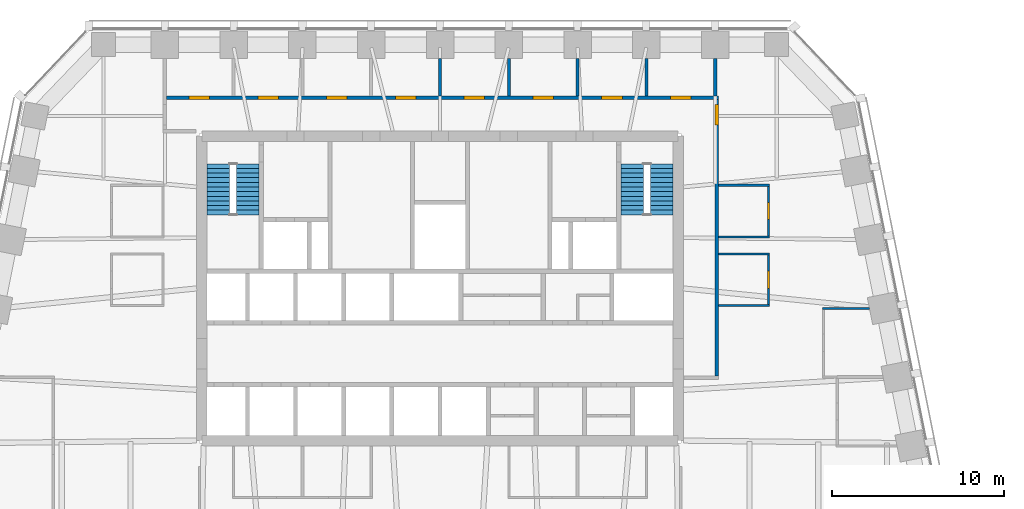
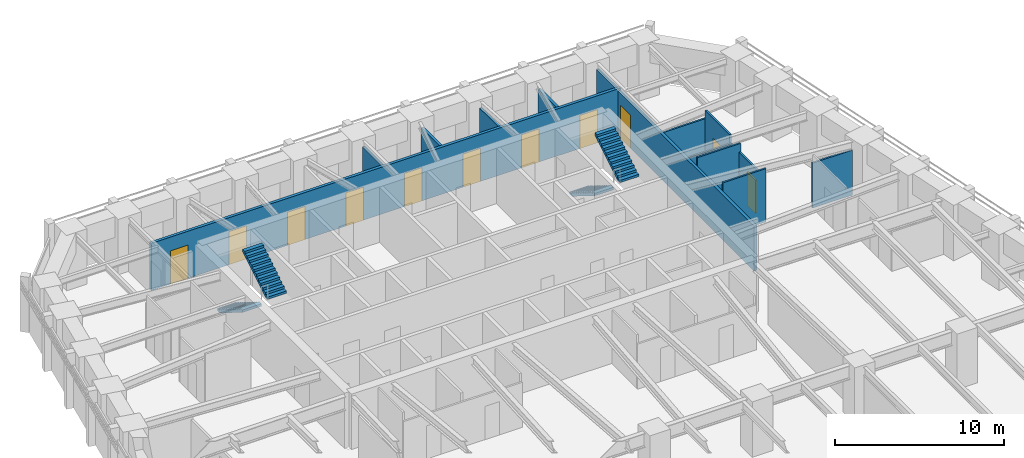
# One storey, part 8 of 10: 14 walls, 11 doors, 4 stair flights, 11 openings, 2 elements without a shape of their own.
"""IFC4 building model written with IfcOpenShell, lengths in metres."""

from ifc_helpers import new_model, si_unit, direction, frame, frame_2d, origin, place, context, subcontext, project, spatial, polyline, rectangle, outline, extrude, material, layer, layer_set, type_object, element, fill, aggregate, save


model = new_model("IFC4")

# Units and contexts
model_context = context("Model", 3, precision=1e-05, world=origin(), true_north=direction((0.0, 1.0)))
body_context = subcontext(model_context, "Body", "Model", "MODEL_VIEW")
ifc_project = project(units=[si_unit("LENGTHUNIT", "METRE"), si_unit("AREAUNIT", "SQUARE_METRE"), si_unit("VOLUMEUNIT", "CUBIC_METRE"), si_unit("PLANEANGLEUNIT", "RADIAN"), si_unit("MASSUNIT", "GRAM", prefix="KILO")], contexts=[model_context])

# Site, building, storey
site_placement = place(None, origin())
site = spatial("IfcSite", under=ifc_project, at=site_placement, CompositionType="ELEMENT")
building_placement = place(site_placement, origin())
building = spatial("IfcBuilding", under=site, at=building_placement, Name="Isbrekke Arena Tower", CompositionType="ELEMENT")
storey_placement = place(building_placement, frame((0.0, 0.0, 222.0)))
storey = spatial("IfcBuildingStorey", under=building, at=storey_placement, Name="L51", CompositionType="ELEMENT", Elevation=222.0)

# Walls
ifc_material_1 = material(Name="Frameless glazed partition, laminated acoustic glass", Category="glass")
ifc_layer_1 = layer(ifc_material_1, 0.1201171875)
ifc_layer_set_1 = layer_set([ifc_layer_1], Name="IW2 GLAZED PARTITION 120")
wall_type_1 = type_object("IfcWallType", Name="IW2 GLAZED PARTITION 120", PredefinedType="PARTITIONING", material=ifc_layer_set_1)
wall_1_placement = place(storey_placement, frame((22.239990234375, 13.840087890625, 0.0), z_axis=(0.0, 0.0, 1.0), x_axis=(1.0, 0.0, 0.0)))
element("IfcWall", 1, at=wall_1_placement, inside=storey, type_object=wall_type_1, Name="IW2 glazed partition 120 L51", PredefinedType="PARTITIONING", context=body_context, shape_type="SweptSolid", body=[
    extrude(rectangle(XDim=2.73486328125, YDim=0.1201171875, at=frame_2d((1.367431640625, 0.0))), origin(), (0.0, 0.0, 1.0), 3.25),
])
for number, where, z_axis, x_axis, name in (
    (2, (16.199951171875, 14.0, 0.0), (0.0, 0.0, 1.0), (1.0, 0.0, 0.0), "IW2 glazed partition 120 L51"),
    (3, (16.199951171875, 17.0, 0.0), (0.0, 0.0, 1.0), (1.0, 0.0, 0.0), "IW2 glazed partition 120 L51"),
):
    element("IfcWall", number, at=place(storey_placement, frame(where, z_axis=z_axis, x_axis=x_axis)), inside=storey, type_object=wall_type_1, Name=name, PredefinedType="PARTITIONING", context=body_context, shape_type="SweptSolid", body=[
        extrude(rectangle(XDim=2.9599609375, YDim=0.1201171875, at=frame_2d((1.47998046875, 0.0))), origin(), (0.0, 0.0, 1.0), 3.85009765625),
    ])
for number, where, z_axis, x_axis, name in (
    (4, (16.199951171875, 18.0, 0.0), (0.0, 0.0, 1.0), (1.0, 0.0, 0.0), "IW2 glazed partition 120 L51"),
    (5, (16.199951171875, 21.0, 0.0), (0.0, 0.0, 1.0), (1.0, 0.0, 0.0), "IW2 glazed partition 120 L51"),
):
    element("IfcWall", number, at=place(storey_placement, frame(where, z_axis=z_axis, x_axis=x_axis)), inside=storey, type_object=wall_type_1, Name=name, PredefinedType="PARTITIONING", context=body_context, shape_type="SweptSolid", body=[
        extrude(rectangle(XDim=2.9599609375, YDim=0.1201171875, at=frame_2d((1.47998046875, 0.0))), origin(), (0.0, 0.0, 1.0), 3.25),
    ])

# Wall, opening, door
wall_2_placement = place(storey_placement, frame((19.10009765625, 14.06005859375, 0.0), z_axis=(0.0, 0.0, 1.0), x_axis=(0.0, 1.0, 0.0)))
wall_2 = element("IfcWall", 6, at=wall_2_placement, inside=storey, type_object=wall_type_1, Name="IW2 glazed partition 120 L51", PredefinedType="PARTITIONING", context=body_context, shape_type="SweptSolid", body=[
    extrude(rectangle(XDim=2.8798828125, YDim=0.1201171875, at=frame_2d((1.43994140625, 0.0))), origin(), (0.0, 0.0, 1.0), 3.25),
])
opening_1_placement = place(wall_2_placement, frame((0.93994140625, 0.0, 0.0)))
opening_1 = element("IfcOpeningElement", 7, at=opening_1_placement, cuts=wall_2, Name="Opening D11", PredefinedType="OPENING", context=body_context, shape_type="SweptSolid", body=[
    extrude(rectangle(XDim=1.0, YDim=2.39990234375, at=frame_2d((0.5, 1.199951171875))), frame((0.0, 0.074951171875, 0.0), z_axis=(0.0, -1.0, 0.0), x_axis=(1.0, 0.0, 0.0)), (0.0, 0.0, 1.0), 0.14990234375),
])
ifc_material_2 = material(Name="Frameless glazed door", Category="glass")
door_type_1 = type_object("IfcDoorType", Name="D11 GLAZED MEETING ROOM DOOR 1000 x 2400", OperationType="SINGLE_SWING_RIGHT", PredefinedType="DOOR", material=ifc_material_2)
door_1_placement = place(opening_1_placement, origin())
door_1 = element("IfcDoor", 8, at=door_1_placement, inside=storey, type_object=door_type_1, Name="D11 quiet room door L51", OperationType="SINGLE_SWING_RIGHT", OverallHeight=2.39990234375, OverallWidth=1.0, PredefinedType="DOOR", context=body_context, shape_type="SweptSolid", body=[
    extrude(rectangle(XDim=1.0, YDim=2.39990234375, at=frame_2d((0.5, 1.199951171875))), frame((0.0, 0.059814453125, 0.0), z_axis=(0.0, -1.0, 0.0), x_axis=(1.0, 0.0, 0.0)), (0.0, 0.0, 1.0), 0.11962890625),
])
fill(opening_1, door_1)

wall_3_placement = place(storey_placement, frame((19.10009765625, 18.06005859375, 0.0), z_axis=(0.0, 0.0, 1.0), x_axis=(0.0, 1.0, 0.0)))
wall_3 = element("IfcWall", 9, at=wall_3_placement, inside=storey, type_object=wall_type_1, Name="IW2 glazed partition 120 L51", PredefinedType="PARTITIONING", context=body_context, shape_type="SweptSolid", body=[
    extrude(rectangle(XDim=2.8798828125, YDim=0.1201171875, at=frame_2d((1.43994140625, 0.0))), origin(), (0.0, 0.0, 1.0), 3.85009765625),
])
opening_2_placement = place(wall_3_placement, frame((0.93994140625, 0.0, 0.0)))
opening_2 = element("IfcOpeningElement", 10, at=opening_2_placement, cuts=wall_3, Name="Opening D11", PredefinedType="OPENING", context=body_context, shape_type="SweptSolid", body=[
    extrude(rectangle(XDim=1.0, YDim=2.39990234375, at=frame_2d((0.5, 1.199951171875))), frame((0.0, 0.074951171875, 0.0), z_axis=(0.0, -1.0, 0.0), x_axis=(1.0, 0.0, 0.0)), (0.0, 0.0, 1.0), 0.14990234375),
])
door_2_placement = place(opening_2_placement, origin())
door_2 = element("IfcDoor", 11, at=door_2_placement, inside=storey, type_object=door_type_1, Name="D11 quiet room door L51", OperationType="SINGLE_SWING_RIGHT", OverallHeight=2.39990234375, OverallWidth=1.0, PredefinedType="DOOR", context=body_context, shape_type="SweptSolid", body=[
    extrude(rectangle(XDim=1.0, YDim=2.39990234375, at=frame_2d((0.5, 1.199951171875))), frame((0.0, 0.059814453125, 0.0), z_axis=(0.0, -1.0, 0.0), x_axis=(1.0, 0.0, 0.0)), (0.0, 0.0, 1.0), 0.11962890625),
])
fill(opening_2, door_2)

# Wall, openings, doors
ifc_material_3 = material(Name="Gypsum board fire-cell wall on steel studs, two layers each side", Category="steel")
ifc_layer_2 = layer(ifc_material_3, 0.199951171875)
ifc_layer_set_2 = layer_set([ifc_layer_2], Name="IW3 FIRE-CELL WALL 200")
wall_type_2 = type_object("IfcWallType", Name="IW3 FIRE-CELL WALL 200", PredefinedType="PARTITIONING", material=ifc_layer_set_2)
wall_4_placement = place(storey_placement, frame((-15.89990234375, 26.10009765625, 0.0), z_axis=(0.0, 0.0, 1.0), x_axis=(1.0, 0.0, 0.0)))
wall_4 = element("IfcWall", 12, at=wall_4_placement, inside=storey, type_object=wall_type_2, Name="IW3 fire-cell wall 200 L51", PredefinedType="PARTITIONING", context=body_context, shape_type="SweptSolid", body=[
    extrude(rectangle(XDim=32.099853515625, YDim=0.199951171875, at=frame_2d((16.0498046875, 0.0))), origin(), (0.0, 0.0, 1.0), 3.39990234375),
])
opening_3_placement = place(wall_4_placement, frame((1.300048828125, 0.0, 0.0)))
opening_3 = element("IfcOpeningElement", 13, at=opening_3_placement, cuts=wall_4, Name="Opening D12", PredefinedType="OPENING", context=body_context, shape_type="SweptSolid", body=[
    extrude(rectangle(XDim=1.199951171875, YDim=2.39990234375, at=frame_2d((0.60009765625, 1.199951171875))), frame((0.0, 0.11474609375, 0.0), z_axis=(0.0, -1.0, 0.0), x_axis=(1.0, 0.0, 0.0)), (0.0, 0.0, 1.0), 0.229736328125),
])
opening_4_placement = place(wall_4_placement, frame((5.300048828125, 0.0, 0.0)))
opening_4 = element("IfcOpeningElement", 14, at=opening_4_placement, cuts=wall_4, Name="Opening D12", PredefinedType="OPENING", context=body_context, shape_type="SweptSolid", body=[
    extrude(rectangle(XDim=1.199951171875, YDim=2.39990234375, at=frame_2d((0.60009765625, 1.199951171875))), frame((0.0, 0.11474609375, 0.0), z_axis=(0.0, -1.0, 0.0), x_axis=(1.0, 0.0, 0.0)), (0.0, 0.0, 1.0), 0.229736328125),
])
opening_5_placement = place(wall_4_placement, frame((9.300048828125, 0.0, 0.0)))
opening_5 = element("IfcOpeningElement", 15, at=opening_5_placement, cuts=wall_4, Name="Opening D12", PredefinedType="OPENING", context=body_context, shape_type="SweptSolid", body=[
    extrude(rectangle(XDim=1.199951171875, YDim=2.39990234375, at=frame_2d((0.60009765625, 1.199951171875))), frame((0.0, 0.11474609375, 0.0), z_axis=(0.0, -1.0, 0.0), x_axis=(1.0, 0.0, 0.0)), (0.0, 0.0, 1.0), 0.229736328125),
])
opening_6_placement = place(wall_4_placement, frame((13.300048828125, 0.0, 0.0)))
opening_6 = element("IfcOpeningElement", 16, at=opening_6_placement, cuts=wall_4, Name="Opening D12", PredefinedType="OPENING", context=body_context, shape_type="SweptSolid", body=[
    extrude(rectangle(XDim=1.199951171875, YDim=2.39990234375, at=frame_2d((0.60009765625, 1.199951171875))), frame((0.0, 0.11474609375, 0.0), z_axis=(0.0, -1.0, 0.0), x_axis=(1.0, 0.0, 0.0)), (0.0, 0.0, 1.0), 0.229736328125),
])
opening_7_placement = place(wall_4_placement, frame((17.300048828125, 0.0, 0.0)))
opening_7 = element("IfcOpeningElement", 17, at=opening_7_placement, cuts=wall_4, Name="Opening D12", PredefinedType="OPENING", context=body_context, shape_type="SweptSolid", body=[
    extrude(rectangle(XDim=1.199951171875, YDim=2.39990234375, at=frame_2d((0.60009765625, 1.199951171875))), frame((0.0, 0.11474609375, 0.0), z_axis=(0.0, -1.0, 0.0), x_axis=(1.0, 0.0, 0.0)), (0.0, 0.0, 1.0), 0.229736328125),
])
opening_8_placement = place(wall_4_placement, frame((21.300048828125, 0.0, 0.0)))
opening_8 = element("IfcOpeningElement", 18, at=opening_8_placement, cuts=wall_4, Name="Opening D12", PredefinedType="OPENING", context=body_context, shape_type="SweptSolid", body=[
    extrude(rectangle(XDim=1.199951171875, YDim=2.39990234375, at=frame_2d((0.60009765625, 1.199951171875))), frame((0.0, 0.11474609375, 0.0), z_axis=(0.0, -1.0, 0.0), x_axis=(1.0, 0.0, 0.0)), (0.0, 0.0, 1.0), 0.229736328125),
])
opening_9_placement = place(wall_4_placement, frame((25.300048828125, 0.0, 0.0)))
opening_9 = element("IfcOpeningElement", 19, at=opening_9_placement, cuts=wall_4, Name="Opening D12", PredefinedType="OPENING", context=body_context, shape_type="SweptSolid", body=[
    extrude(rectangle(XDim=1.199951171875, YDim=2.39990234375, at=frame_2d((0.60009765625, 1.199951171875))), frame((0.0, 0.11474609375, 0.0), z_axis=(0.0, -1.0, 0.0), x_axis=(1.0, 0.0, 0.0)), (0.0, 0.0, 1.0), 0.229736328125),
])
opening_10_placement = place(wall_4_placement, frame((29.300048828125, 0.0, 0.0)))
opening_10 = element("IfcOpeningElement", 20, at=opening_10_placement, cuts=wall_4, Name="Opening D12", PredefinedType="OPENING", context=body_context, shape_type="SweptSolid", body=[
    extrude(rectangle(XDim=1.199951171875, YDim=2.39990234375, at=frame_2d((0.60009765625, 1.199951171875))), frame((0.0, 0.11474609375, 0.0), z_axis=(0.0, -1.0, 0.0), x_axis=(1.0, 0.0, 0.0)), (0.0, 0.0, 1.0), 0.229736328125),
])
ifc_material_4 = material(Name="Timber fire door with vision panel", Category="wood")
door_type_2 = type_object("IfcDoorType", Name="D12 SUITE ENTRANCE DOOR 1200 x 2400", OperationType="SINGLE_SWING_LEFT", PredefinedType="DOOR", material=ifc_material_4)
door_3_placement = place(opening_3_placement, origin())
door_3 = element("IfcDoor", 21, at=door_3_placement, inside=storey, type_object=door_type_2, Name="D12 quiet room door L51", OperationType="SINGLE_SWING_LEFT", OverallHeight=2.39990234375, OverallWidth=1.199951171875, PredefinedType="DOOR", context=body_context, shape_type="SweptSolid", body=[
    extrude(rectangle(XDim=1.199951171875, YDim=2.39990234375, at=frame_2d((0.60009765625, 1.199951171875))), frame((0.0, 0.099609375, 0.0), z_axis=(0.0, -1.0, 0.0), x_axis=(1.0, 0.0, 0.0)), (0.0, 0.0, 1.0), 0.199462890625),
])
fill(opening_3, door_3)
door_4_placement = place(opening_4_placement, origin())
door_4 = element("IfcDoor", 22, at=door_4_placement, inside=storey, type_object=door_type_2, Name="D12 meeting room door L51", OperationType="SINGLE_SWING_LEFT", OverallHeight=2.39990234375, OverallWidth=1.199951171875, PredefinedType="DOOR", context=body_context, shape_type="SweptSolid", body=[
    extrude(rectangle(XDim=1.199951171875, YDim=2.39990234375, at=frame_2d((0.60009765625, 1.199951171875))), frame((0.0, 0.099609375, 0.0), z_axis=(0.0, -1.0, 0.0), x_axis=(1.0, 0.0, 0.0)), (0.0, 0.0, 1.0), 0.199462890625),
])
fill(opening_4, door_4)
door_5_placement = place(opening_5_placement, origin())
door_5 = element("IfcDoor", 23, at=door_5_placement, inside=storey, type_object=door_type_2, Name="D12 meeting room door L51", OperationType="SINGLE_SWING_LEFT", OverallHeight=2.39990234375, OverallWidth=1.199951171875, PredefinedType="DOOR", context=body_context, shape_type="SweptSolid", body=[
    extrude(rectangle(XDim=1.199951171875, YDim=2.39990234375, at=frame_2d((0.60009765625, 1.199951171875))), frame((0.0, 0.099609375, 0.0), z_axis=(0.0, -1.0, 0.0), x_axis=(1.0, 0.0, 0.0)), (0.0, 0.0, 1.0), 0.199462890625),
])
fill(opening_5, door_5)
door_6_placement = place(opening_6_placement, origin())
door_6 = element("IfcDoor", 24, at=door_6_placement, inside=storey, type_object=door_type_2, Name="D12 meeting room door L51", OperationType="SINGLE_SWING_LEFT", OverallHeight=2.39990234375, OverallWidth=1.199951171875, PredefinedType="DOOR", context=body_context, shape_type="SweptSolid", body=[
    extrude(rectangle(XDim=1.199951171875, YDim=2.39990234375, at=frame_2d((0.60009765625, 1.199951171875))), frame((0.0, 0.099609375, 0.0), z_axis=(0.0, -1.0, 0.0), x_axis=(1.0, 0.0, 0.0)), (0.0, 0.0, 1.0), 0.199462890625),
])
fill(opening_6, door_6)
door_7_placement = place(opening_7_placement, origin())
door_7 = element("IfcDoor", 25, at=door_7_placement, inside=storey, type_object=door_type_2, Name="D12 meeting room door L51", OperationType="SINGLE_SWING_LEFT", OverallHeight=2.39990234375, OverallWidth=1.199951171875, PredefinedType="DOOR", context=body_context, shape_type="SweptSolid", body=[
    extrude(rectangle(XDim=1.199951171875, YDim=2.39990234375, at=frame_2d((0.60009765625, 1.199951171875))), frame((0.0, 0.099609375, 0.0), z_axis=(0.0, -1.0, 0.0), x_axis=(1.0, 0.0, 0.0)), (0.0, 0.0, 1.0), 0.199462890625),
])
fill(opening_7, door_7)
door_8_placement = place(opening_8_placement, origin())
door_8 = element("IfcDoor", 26, at=door_8_placement, inside=storey, type_object=door_type_2, Name="D12 meeting room door L51", OperationType="SINGLE_SWING_LEFT", OverallHeight=2.39990234375, OverallWidth=1.199951171875, PredefinedType="DOOR", context=body_context, shape_type="SweptSolid", body=[
    extrude(rectangle(XDim=1.199951171875, YDim=2.39990234375, at=frame_2d((0.60009765625, 1.199951171875))), frame((0.0, 0.099609375, 0.0), z_axis=(0.0, -1.0, 0.0), x_axis=(1.0, 0.0, 0.0)), (0.0, 0.0, 1.0), 0.199462890625),
])
fill(opening_8, door_8)
door_9_placement = place(opening_9_placement, origin())
door_9 = element("IfcDoor", 27, at=door_9_placement, inside=storey, type_object=door_type_2, Name="D12 meeting room door L51", OperationType="SINGLE_SWING_LEFT", OverallHeight=2.39990234375, OverallWidth=1.199951171875, PredefinedType="DOOR", context=body_context, shape_type="SweptSolid", body=[
    extrude(rectangle(XDim=1.199951171875, YDim=2.39990234375, at=frame_2d((0.60009765625, 1.199951171875))), frame((0.0, 0.099609375, 0.0), z_axis=(0.0, -1.0, 0.0), x_axis=(1.0, 0.0, 0.0)), (0.0, 0.0, 1.0), 0.199462890625),
])
fill(opening_9, door_9)
door_10_placement = place(opening_10_placement, origin())
door_10 = element("IfcDoor", 28, at=door_10_placement, inside=storey, type_object=door_type_2, Name="D12 quiet room door L51", OperationType="SINGLE_SWING_LEFT", OverallHeight=2.39990234375, OverallWidth=1.199951171875, PredefinedType="DOOR", context=body_context, shape_type="SweptSolid", body=[
    extrude(rectangle(XDim=1.199951171875, YDim=2.39990234375, at=frame_2d((0.60009765625, 1.199951171875))), frame((0.0, 0.099609375, 0.0), z_axis=(0.0, -1.0, 0.0), x_axis=(1.0, 0.0, 0.0)), (0.0, 0.0, 1.0), 0.199462890625),
])
fill(opening_10, door_10)

# Wall
wall_5_placement = place(storey_placement, frame((16.0, 26.199951171875, 0.0), z_axis=(0.0, 0.0, 1.0), x_axis=(0.0, 1.0, 0.0)))
element("IfcWall", 29, at=wall_5_placement, inside=storey, type_object=wall_type_2, Name="IW3 fire-cell wall 200 L51", PredefinedType="PARTITIONING", context=body_context, shape_type="SweptSolid", body=[
    extrude(rectangle(XDim=2.175048828125, YDim=0.199951171875, at=frame_2d((1.08740234375, 0.0))), origin(), (0.0, 0.0, 1.0), 3.39990234375),
])

# Wall, opening, door
wall_6_placement = place(storey_placement, frame((16.10009765625, 9.89990234375, 0.0), z_axis=(0.0, 0.0, 1.0), x_axis=(0.0, 1.0, 0.0)))
wall_6 = element("IfcWall", 30, at=wall_6_placement, inside=storey, type_object=wall_type_2, Name="IW3 fire-cell wall 200 L51", PredefinedType="PARTITIONING", context=body_context, shape_type="SweptSolid", body=[
    extrude(rectangle(XDim=16.10009765625, YDim=0.199951171875, at=frame_2d((8.050048828125, 0.0))), origin(), (0.0, 0.0, 1.0), 3.25),
])
opening_11_placement = place(wall_6_placement, frame((14.60009765625, 0.0, 0.0)))
opening_11 = element("IfcOpeningElement", 31, at=opening_11_placement, cuts=wall_6, Name="Opening D12", PredefinedType="OPENING", context=body_context, shape_type="SweptSolid", body=[
    extrude(rectangle(XDim=1.199951171875, YDim=2.39990234375, at=frame_2d((0.60009765625, 1.199951171875))), frame((0.0, 0.11474609375, 0.0), z_axis=(0.0, -1.0, 0.0), x_axis=(1.0, 0.0, 0.0)), (0.0, 0.0, 1.0), 0.229736328125),
])
door_11_placement = place(opening_11_placement, origin())
door_11 = element("IfcDoor", 32, at=door_11_placement, inside=storey, type_object=door_type_2, Name="D12 suite entrance A door L51", OperationType="SINGLE_SWING_LEFT", OverallHeight=2.39990234375, OverallWidth=1.199951171875, PredefinedType="DOOR", context=body_context, shape_type="SweptSolid", body=[
    extrude(rectangle(XDim=1.199951171875, YDim=2.39990234375, at=frame_2d((0.60009765625, 1.199951171875))), frame((0.0, 0.099609375, 0.0), z_axis=(0.0, -1.0, 0.0), x_axis=(1.0, 0.0, 0.0)), (0.0, 0.0, 1.0), 0.199462890625),
])
fill(opening_11, door_11)

# Walls
ifc_material_5 = material(Name="Gypsum board acoustic partition on twin steel studs", Category="steel")
ifc_layer_3 = layer(ifc_material_5, 0.175048828125)
ifc_layer_set_3 = layer_set([ifc_layer_3], Name="IW4 ACOUSTIC PARTITION 175")
wall_type_3 = type_object("IfcWallType", Name="IW4 ACOUSTIC PARTITION 175", PredefinedType="PARTITIONING", material=ifc_layer_set_3)
for number, where, z_axis, x_axis, name in (
    (33, (0.0, 26.199951171875, 0.0), (0.0, 0.0, 1.0), (0.0, 1.0, 0.0), "IW4 acoustic partition 175 L51"),
    (34, (4.0, 26.199951171875, 0.0), (0.0, 0.0, 1.0), (0.0, 1.0, 0.0), "IW4 acoustic partition 175 L51"),
    (35, (8.0, 26.199951171875, 0.0), (0.0, 0.0, 1.0), (0.0, 1.0, 0.0), "IW4 acoustic partition 175 L51"),
    (36, (12.0, 26.199951171875, 0.0), (0.0, 0.0, 1.0), (0.0, 1.0, 0.0), "IW4 acoustic partition 175 L51"),
):
    element("IfcWall", number, at=place(storey_placement, frame(where, z_axis=z_axis, x_axis=x_axis)), inside=storey, type_object=wall_type_3, Name=name, PredefinedType="PARTITIONING", context=body_context, shape_type="SweptSolid", body=[
        extrude(rectangle(XDim=2.175048828125, YDim=0.175048828125, at=frame_2d((1.08740234375, 0.0))), origin(), (0.0, 0.0, 1.0), 3.39990234375),
    ])

# Stair, stair flights
ifc_material_6 = material(Name="Concrete B45 (C45/55) precast", Category="concrete")
stair_type = type_object("IfcStairType", Name="ST40 STAIR 1300 WIDE, 24 RISERS 167", PredefinedType="HALF_TURN_STAIR", material=ifc_material_6)
stair_1_placement = place(storey_placement, origin())
stair_1 = element("IfcStair", 37, at=stair_1_placement, inside=storey, type_object=stair_type, Name="ST1 stair L51", PredefinedType="HALF_TURN_STAIR")
ifc_material_7 = material(Name="Concrete B45 (C45/55) precast", Category="concrete")
stair_flight_type = type_object("IfcStairFlightType", Name="SF 1300 FLIGHT", PredefinedType="STRAIGHT", material=ifc_material_7)
stair_flight_1_placement = place(storey_placement, frame((-12.89990234375, 22.25, 0.0), z_axis=(0.0, 0.0, 1.0), x_axis=(0.0, -1.0, 0.0)))
stair_flight_1 = element("IfcStairFlight", 38, at=stair_flight_1_placement, type_object=stair_flight_type, Name="ST1 flight 1", NumberOfRisers=12, NumberOfTreads=11, PredefinedType="STRAIGHT", RiserHeight=0.166666667, TreadLength=0.27, context=body_context, shape_type="SweptSolid", body=[
    extrude(outline(polyline([(0.0, 0.0), (0.0, 0.166748046875), (0.27001953125, 0.166748046875), (0.27001953125, 0.333251953125), (0.5400390625, 0.333251953125), (0.5400390625, 0.5), (0.81005859375, 0.5), (0.81005859375, 0.666748046875), (1.080078125, 0.666748046875), (1.080078125, 0.833251953125), (1.35009765625, 0.833251953125), (1.35009765625, 1.0), (1.6201171875, 1.0), (1.6201171875, 1.166748046875), (1.889892578125, 1.166748046875), (1.889892578125, 1.333251953125), (2.159912109375, 1.333251953125), (2.159912109375, 1.5), (2.429931640625, 1.5), (2.429931640625, 1.666748046875), (2.699951171875, 1.666748046875), (2.699951171875, 1.833251953125), (2.969970703125, 1.833251953125), (2.969970703125, 2.0), (2.969970703125, 1.6572265625), (0.285400390625, 0.0), (0.0, 0.0)])), frame((0.0, 0.64990234375, 0.0), z_axis=(0.0, -1.0, 0.0), x_axis=(1.0, 0.0, 0.0)), (0.0, 0.0, 1.0), 1.300048828125),
])
stair_flight_2_placement = place(storey_placement, frame((-11.175048828125, 19.280029296875, 2.0), z_axis=(0.0, 0.0, 1.0), x_axis=(0.0, 1.0, 0.0)))
stair_flight_2 = element("IfcStairFlight", 39, at=stair_flight_2_placement, type_object=stair_flight_type, Name="ST1 flight 2", NumberOfRisers=12, NumberOfTreads=11, PredefinedType="STRAIGHT", RiserHeight=0.166666667, TreadLength=0.27, context=body_context, shape_type="SweptSolid", body=[
    extrude(outline(polyline([(0.0, 0.0), (0.0, 0.166748046875), (0.27001953125, 0.166748046875), (0.27001953125, 0.333251953125), (0.5400390625, 0.333251953125), (0.5400390625, 0.5), (0.81005859375, 0.5), (0.81005859375, 0.666748046875), (1.080078125, 0.666748046875), (1.080078125, 0.833251953125), (1.35009765625, 0.833251953125), (1.35009765625, 1.0), (1.6201171875, 1.0), (1.6201171875, 1.166748046875), (1.889892578125, 1.166748046875), (1.889892578125, 1.333251953125), (2.159912109375, 1.333251953125), (2.159912109375, 1.5), (2.429931640625, 1.5), (2.429931640625, 1.666748046875), (2.699951171875, 1.666748046875), (2.699951171875, 1.833251953125), (2.969970703125, 1.833251953125), (2.969970703125, 2.0), (2.969970703125, 1.6572265625), (0.285400390625, 0.0), (0.0, 0.0)])), frame((0.0, 0.64990234375, 0.0), z_axis=(0.0, -1.0, 0.0), x_axis=(1.0, 0.0, 0.0)), (0.0, 0.0, 1.0), 1.300048828125),
])
aggregate(stair_1, [stair_flight_1, stair_flight_2])

stair_2_placement = place(storey_placement, origin())
stair_2 = element("IfcStair", 40, at=stair_2_placement, inside=storey, type_object=stair_type, Name="ST2 stair L51", PredefinedType="HALF_TURN_STAIR")
stair_flight_3_placement = place(storey_placement, frame((11.175048828125, 22.25, 0.0), z_axis=(0.0, 0.0, 1.0), x_axis=(0.0, -1.0, 0.0)))
stair_flight_3 = element("IfcStairFlight", 41, at=stair_flight_3_placement, type_object=stair_flight_type, Name="ST2 flight 1", NumberOfRisers=12, NumberOfTreads=11, PredefinedType="STRAIGHT", RiserHeight=0.166666667, TreadLength=0.27, context=body_context, shape_type="SweptSolid", body=[
    extrude(outline(polyline([(0.0, 0.0), (0.0, 0.166748046875), (0.27001953125, 0.166748046875), (0.27001953125, 0.333251953125), (0.5400390625, 0.333251953125), (0.5400390625, 0.5), (0.81005859375, 0.5), (0.81005859375, 0.666748046875), (1.080078125, 0.666748046875), (1.080078125, 0.833251953125), (1.35009765625, 0.833251953125), (1.35009765625, 1.0), (1.6201171875, 1.0), (1.6201171875, 1.166748046875), (1.889892578125, 1.166748046875), (1.889892578125, 1.333251953125), (2.159912109375, 1.333251953125), (2.159912109375, 1.5), (2.429931640625, 1.5), (2.429931640625, 1.666748046875), (2.699951171875, 1.666748046875), (2.699951171875, 1.833251953125), (2.969970703125, 1.833251953125), (2.969970703125, 2.0), (2.969970703125, 1.6572265625), (0.285400390625, 0.0), (0.0, 0.0)])), frame((0.0, 0.64990234375, 0.0), z_axis=(0.0, -1.0, 0.0), x_axis=(1.0, 0.0, 0.0)), (0.0, 0.0, 1.0), 1.300048828125),
])
stair_flight_4_placement = place(storey_placement, frame((12.89990234375, 19.280029296875, 2.0), z_axis=(0.0, 0.0, 1.0), x_axis=(0.0, 1.0, 0.0)))
stair_flight_4 = element("IfcStairFlight", 42, at=stair_flight_4_placement, type_object=stair_flight_type, Name="ST2 flight 2", NumberOfRisers=12, NumberOfTreads=11, PredefinedType="STRAIGHT", RiserHeight=0.166666667, TreadLength=0.27, context=body_context, shape_type="SweptSolid", body=[
    extrude(outline(polyline([(0.0, 0.0), (0.0, 0.166748046875), (0.27001953125, 0.166748046875), (0.27001953125, 0.333251953125), (0.5400390625, 0.333251953125), (0.5400390625, 0.5), (0.81005859375, 0.5), (0.81005859375, 0.666748046875), (1.080078125, 0.666748046875), (1.080078125, 0.833251953125), (1.35009765625, 0.833251953125), (1.35009765625, 1.0), (1.6201171875, 1.0), (1.6201171875, 1.166748046875), (1.889892578125, 1.166748046875), (1.889892578125, 1.333251953125), (2.159912109375, 1.333251953125), (2.159912109375, 1.5), (2.429931640625, 1.5), (2.429931640625, 1.666748046875), (2.699951171875, 1.666748046875), (2.699951171875, 1.833251953125), (2.969970703125, 1.833251953125), (2.969970703125, 2.0), (2.969970703125, 1.6572265625), (0.285400390625, 0.0), (0.0, 0.0)])), frame((0.0, 0.64990234375, 0.0), z_axis=(0.0, -1.0, 0.0), x_axis=(1.0, 0.0, 0.0)), (0.0, 0.0, 1.0), 1.300048828125),
])
aggregate(stair_2, [stair_flight_3, stair_flight_4])

save(model, "model.ifc")
